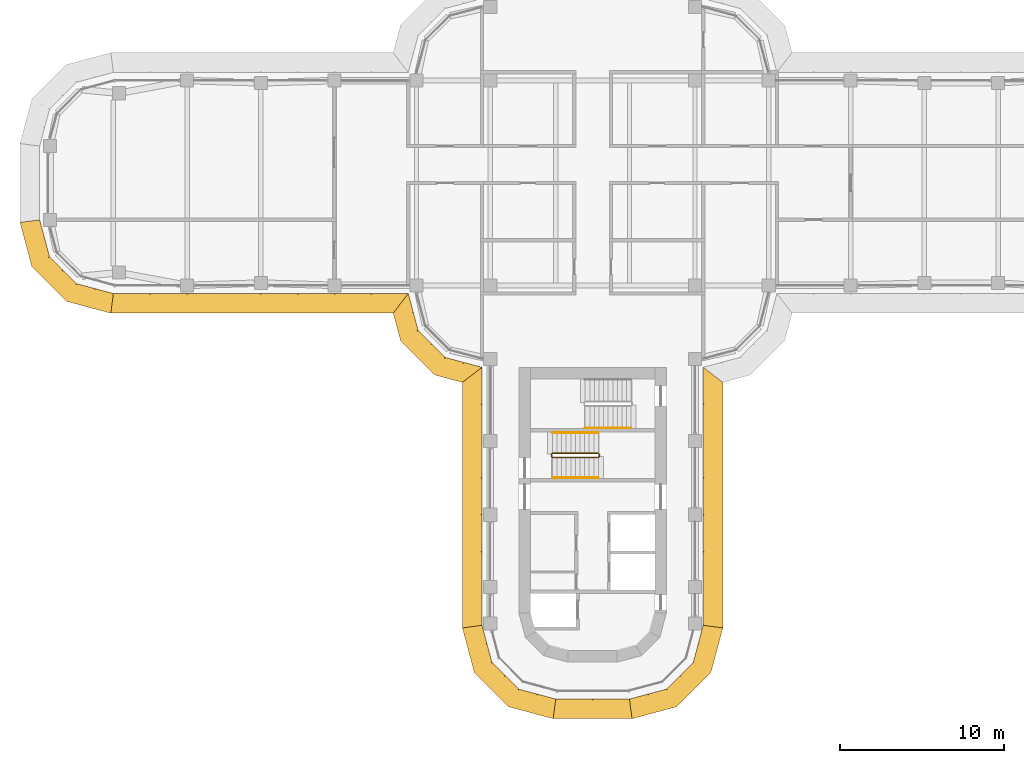
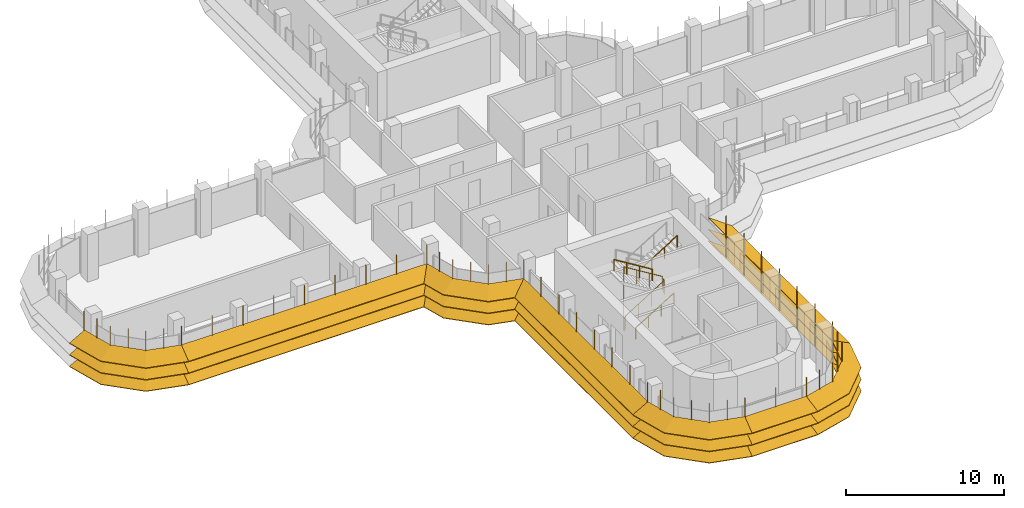
# One storey, part 16 of 19: 8 shading devices, 4 railings.
"""IFC4 building model written with IfcOpenShell, lengths in metres."""

from ifc_helpers import new_model, si_unit, direction, frame, origin, origin_2d, place, context, subcontext, project, spatial, polyline, circle, outline, extrude, faceted_brep, source, transform, mapped, material, type_object, element, save


model = new_model("IFC4")

# Units and contexts
model_context = context("Model", 3, precision=1e-05, world=origin(), true_north=direction((0.0, 1.0)))
body_context = subcontext(model_context, "Body", "Model", "MODEL_VIEW")
ifc_project = project(units=[si_unit("LENGTHUNIT", "METRE"), si_unit("AREAUNIT", "SQUARE_METRE"), si_unit("VOLUMEUNIT", "CUBIC_METRE"), si_unit("PLANEANGLEUNIT", "RADIAN"), si_unit("MASSUNIT", "GRAM", prefix="KILO")], contexts=[model_context])

# Site, building, storey
site_placement = place(None, origin())
site = spatial("IfcSite", under=ifc_project, at=site_placement, CompositionType="ELEMENT")
building_placement = place(site_placement, origin())
building = spatial("IfcBuilding", under=site, at=building_placement, Name="Zarbagh Exchange Tower", CompositionType="ELEMENT")
storey_placement = place(building_placement, frame((0.0, 0.0, 182.800048828125)))
storey = spatial("IfcBuildingStorey", under=building, at=storey_placement, Name="L44", CompositionType="ELEMENT", Elevation=182.800048828125)

# Railings
ifc_material_1 = material(Name="Stainless steel", Category="steel")
railing_type_1 = type_object("IfcRailingType", Name="Stair guard 1100 mm", PredefinedType="GUARDRAIL", material=ifc_material_1)
railing_1_placement = place(storey_placement, frame((0.35009765625, -16.5, 2.07275390625)))
element("IfcRailing", 1, at=railing_1_placement, inside=storey, type_object=railing_type_1, Name="ST3 stair guard 1", PredefinedType="GUARDRAIL", context=body_context, shape_type="SweptSolid", body=[
    extrude(circle(Radius=0.02392578125, at=origin_2d()), frame((0.0, 0.0, 1.076171875), z_axis=(-0.851089632645, 0.0, 0.525020415988), x_axis=(0.0, -1.0, 0.0)), (0.0, 0.0, 1.0), 3.2900390625),
    extrude(circle(Radius=0.02392578125, at=origin_2d()), frame((-2.800048828125, 0.0, 2.80322265625), z_axis=(-0.013168290981, -0.013168290981, -0.999826581076), x_axis=(0.707106781187, -0.707106781187, 0.0)), (0.0, 0.0, 1.0), 3.80078125),
    extrude(circle(Radius=0.02392578125, at=origin_2d()), frame((-2.85009765625, -0.050048828125, -0.99658203125), z_axis=(0.0, -1.0, 0.0), x_axis=(1.0, 0.0, 0.0)), (0.0, 0.0, 1.0), 0.14990234375),
    extrude(circle(Radius=0.02392578125, at=origin_2d()), frame((-2.85009765625, -0.199951171875, -0.99658203125), z_axis=(0.268277960024, -0.268277960024, 0.925231793839), x_axis=(0.707106781187, 0.707106781187, 0.0)), (0.0, 0.0, 1.0), 0.1865234375),
    extrude(circle(Radius=0.02392578125, at=origin_2d()), frame((-2.800048828125, -0.25, -0.82421875), z_axis=(0.851089632645, 0.0, 0.525020415988), x_axis=(0.0, 1.0, 0.0)), (0.0, 0.0, 1.0), 3.2900390625),
    extrude(circle(Radius=0.02392578125, at=origin_2d()), frame((0.0, -0.25, 0.9033203125), z_axis=(0.705375805398, 0.708833529934, 0.0), x_axis=(-0.708833529934, 0.705375805398, 0.0)), (0.0, 0.0, 1.0), 0.070556640625),
    extrude(circle(Radius=0.02392578125, at=origin_2d()), frame((0.0498046875, -0.199951171875, 0.9033203125), z_axis=(0.0, 1.0, 0.0), x_axis=(-1.0, 0.0, 0.0)), (0.0, 0.0, 1.0), 0.14990234375),
    extrude(circle(Radius=0.02099609375, at=origin_2d()), origin(), (0.0, 0.0, 1.0), 1.052001953125),
    extrude(circle(Radius=0.02099609375, at=origin_2d()), frame((-0.933349609375, 0.0, 0.57568359375)), (0.0, 0.0, 1.0), 1.052001953125),
    extrude(circle(Radius=0.02099609375, at=origin_2d()), frame((-1.86669921875, 0.0, 1.151611328125)), (0.0, 0.0, 1.0), 1.052001953125),
    extrude(circle(Radius=0.02099609375, at=origin_2d()), frame((-2.800048828125, 0.0, 1.727294921875)), (0.0, 0.0, 1.0), 1.052001953125),
    extrude(circle(Radius=0.02099609375, at=origin_2d()), frame((-2.8125, -0.012451171875, 0.77734375)), (0.0, 0.0, 1.0), 1.052001953125),
    extrude(circle(Radius=0.02099609375, at=origin_2d()), frame((-2.8251953125, -0.02490234375, -0.1728515625)), (0.0, 0.0, 1.0), 1.052001953125),
    extrude(circle(Radius=0.02099609375, at=origin_2d()), frame((-2.837646484375, -0.03759765625, -1.122802734375)), (0.0, 0.0, 1.0), 1.052001953125),
    extrude(circle(Radius=0.02099609375, at=origin_2d()), frame((-2.85009765625, -0.050048828125, -2.07275390625)), (0.0, 0.0, 1.0), 1.052001953125),
    extrude(circle(Radius=0.02099609375, at=origin_2d()), frame((-2.85009765625, -0.199951171875, -2.07275390625)), (0.0, 0.0, 1.0), 1.052001953125),
    extrude(circle(Radius=0.02099609375, at=origin_2d()), frame((-2.800048828125, -0.25, -1.900146484375)), (0.0, 0.0, 1.0), 1.052001953125),
    extrude(circle(Radius=0.02099609375, at=origin_2d()), frame((-1.86669921875, -0.25, -1.324462890625)), (0.0, 0.0, 1.0), 1.052001953125),
    extrude(circle(Radius=0.02099609375, at=origin_2d()), frame((-0.933349609375, -0.25, -0.74853515625)), (0.0, 0.0, 1.0), 1.052001953125),
    extrude(circle(Radius=0.02099609375, at=origin_2d()), frame((0.0, -0.25, -0.1728515625)), (0.0, 0.0, 1.0), 1.052001953125),
    extrude(circle(Radius=0.02099609375, at=origin_2d()), frame((0.0498046875, -0.199951171875, -0.1728515625)), (0.0, 0.0, 1.0), 1.052001953125),
    extrude(circle(Radius=0.02099609375, at=origin_2d()), frame((0.0498046875, -0.050048828125, -0.1728515625)), (0.0, 0.0, 1.0), 1.052001953125),
])
railing_type_2 = type_object("IfcRailingType", Name="Stair handrail 900 mm", PredefinedType="HANDRAIL", material=ifc_material_1)
railing_2_placement = place(storey_placement, frame((-2.449951171875, -18.0, 0.172607421875)))
element("IfcRailing", 2, at=railing_2_placement, inside=storey, type_object=railing_type_2, Name="ST3 stair handrail 1", PredefinedType="HANDRAIL", context=body_context, shape_type="SweptSolid", body=[
    extrude(circle(Radius=0.02392578125, at=origin_2d()), frame((0.0, 0.0, 0.8759765625), z_axis=(0.851089632645, 0.0, 0.525020415988), x_axis=(0.0, 1.0, 0.0)), (0.0, 0.0, 1.0), 3.2900390625),
    extrude(circle(Radius=0.02099609375, at=origin_2d()), origin(), (0.0, 0.0, 1.0), 0.851806640625),
    extrude(circle(Radius=0.02099609375, at=origin_2d()), frame((0.933349609375, 0.0, 0.57568359375)), (0.0, 0.0, 1.0), 0.851806640625),
    extrude(circle(Radius=0.02099609375, at=origin_2d()), frame((1.86669921875, 0.0, 1.151611328125)), (0.0, 0.0, 1.0), 0.851806640625),
    extrude(circle(Radius=0.02099609375, at=origin_2d()), frame((2.800048828125, 0.0, 1.727294921875)), (0.0, 0.0, 1.0), 0.851806640625),
])
railing_3_placement = place(storey_placement, frame((0.35009765625, -15.25, 2.07275390625)))
element("IfcRailing", 3, at=railing_3_placement, inside=storey, type_object=railing_type_2, Name="ST3 stair handrail 2", PredefinedType="HANDRAIL", context=body_context, shape_type="SweptSolid", body=[
    extrude(circle(Radius=0.02392578125, at=origin_2d()), frame((0.0, 0.0, 0.8759765625), z_axis=(-0.851089632645, 0.0, 0.525020415988), x_axis=(0.0, -1.0, 0.0)), (0.0, 0.0, 1.0), 3.2900390625),
    extrude(circle(Radius=0.02099609375, at=origin_2d()), origin(), (0.0, 0.0, 1.0), 0.851806640625),
    extrude(circle(Radius=0.02099609375, at=origin_2d()), frame((-0.933349609375, 0.0, 0.57568359375)), (0.0, 0.0, 1.0), 0.851806640625),
    extrude(circle(Radius=0.02099609375, at=origin_2d()), frame((-1.86669921875, 0.0, 1.151611328125)), (0.0, 0.0, 1.0), 0.851806640625),
    extrude(circle(Radius=0.02099609375, at=origin_2d()), frame((-2.800048828125, 0.0, 1.727294921875)), (0.0, 0.0, 1.0), 0.851806640625),
])
railing_4_placement = place(storey_placement, frame((-0.449951171875, -14.949951171875, 2.07275390625)))
element("IfcRailing", 4, at=railing_4_placement, inside=storey, type_object=railing_type_2, Name="ST4 stair handrail 2", PredefinedType="HANDRAIL", context=body_context, shape_type="SweptSolid", body=[
    extrude(circle(Radius=0.02392578125, at=origin_2d()), frame((0.0, 0.0, 0.8759765625), z_axis=(0.851089632645, 0.0, 0.525020415988), x_axis=(0.0, 1.0, 0.0)), (0.0, 0.0, 1.0), 3.2900390625),
    extrude(circle(Radius=0.02099609375, at=origin_2d()), origin(), (0.0, 0.0, 1.0), 0.851806640625),
    extrude(circle(Radius=0.02099609375, at=origin_2d()), frame((0.933349609375, 0.0, 0.57568359375)), (0.0, 0.0, 1.0), 0.851806640625),
    extrude(circle(Radius=0.02099609375, at=origin_2d()), frame((1.86669921875, 0.0, 1.151611328125)), (0.0, 0.0, 1.0), 0.851806640625),
    extrude(circle(Radius=0.02099609375, at=origin_2d()), frame((2.800048828125, 0.0, 1.727294921875)), (0.0, 0.0, 1.0), 0.851806640625),
])

# Shading devices
ifc_material_2 = material(Name="Anodised aluminium blades and brackets", Category="aluminium")
shading_device_type = type_object("IfcShadingDeviceType", Name="SUNSHADE louvre band, 22.5 degree blades", PredefinedType="JALOUSIE", material=ifc_material_2)
shared_shape_1 = source(origin(), body_context, "Body", "Brep", [
    faceted_brep([(0.0, 0.0, 0.0), (0.0, 0.0, -0.043212890625), (-0.157958984375, -1.199951171875, -0.540283203125), (-0.157958984375, -1.199951171875, -0.4970703125), (2.65087890625, -1.199951171875, -0.4970703125), (2.65087890625, -1.199951171875, -0.540283203125), (2.329345703125, 0.0, -0.043212890625), (2.329345703125, 0.0, 0.0)], [[[0, 1, 2, 3]], [[4, 5, 6, 7]], [[0, 7, 6, 1]], [[1, 6, 5, 2]], [[2, 5, 4, 3]], [[3, 4, 7, 0]]]),
])
shared_shape_2 = source(origin(), body_context, "Body", "Brep", [
    faceted_brep([(0.0, 0.0, 0.0), (0.0, 0.0, -0.043212890625), (-0.321533203125, -1.199951171875, -0.540283203125), (-0.321533203125, -1.199951171875, -0.4970703125), (2.65087890625, -1.199951171875, -0.4970703125), (2.65087890625, -1.199951171875, -0.540283203125), (2.329345703125, 0.0, -0.043212890625), (2.329345703125, 0.0, 0.0)], [[[0, 1, 2, 3]], [[4, 5, 6, 7]], [[0, 7, 6, 1]], [[1, 6, 5, 2]], [[2, 5, 4, 3]], [[3, 4, 7, 0]]]),
])
shared_shape_3 = source(origin(), body_context, "Body", "Brep", [
    faceted_brep([(0.0, 0.0, 0.0), (0.0, 0.0, -0.043212890625), (-0.321533203125, -1.199951171875, -0.540283203125), (-0.321533203125, -1.199951171875, -0.4970703125), (2.4873046875, -1.199951171875, -0.4970703125), (2.4873046875, -1.199951171875, -0.540283203125), (2.329345703125, 0.0, -0.043212890625), (2.329345703125, 0.0, 0.0)], [[[0, 1, 2, 3]], [[4, 5, 6, 7]], [[0, 7, 6, 1]], [[1, 6, 5, 2]], [[2, 5, 4, 3]], [[3, 4, 7, 0]]]),
])
shared_shape_4 = source(origin(), body_context, "Body", "SweptSolid", [
    extrude(outline(polyline([(0.0, -0.012451171875), (0.06005859375, -0.012451171875), (0.06005859375, 0.012451171875), (0.0, 0.012451171875), (0.0, -0.012451171875)])), origin(), (0.0, 0.0, 1.0), 3.353271484375),
])
placement = place(storey_placement, origin())
element("IfcShadingDevice", 5, at=placement, inside=storey, type_object=shading_device_type, Name="SS35 sunshade band", PredefinedType="JALOUSIE", context=body_context, shape_type="MappedRepresentation", body=[
    mapped(shared_shape_1, transform((2.25, -31.5, 2.300048828125), x_axis=(0.965924289636, 0.258824779902, 0.0), y_axis=(-0.258824779902, 0.965924289636, 0.0), z_axis=(0.0, 0.0, 1.0))),
    mapped(shared_shape_1, transform((2.25, -31.5, 1.39990234375), x_axis=(0.965924289636, 0.258824779902, 0.0), y_axis=(-0.258824779902, 0.965924289636, 0.0), z_axis=(0.0, 0.0, 1.0))),
    mapped(shared_shape_1, transform((2.25, -31.5, 0.5), x_axis=(0.965924289636, 0.258824779902, 0.0), y_axis=(-0.258824779902, 0.965924289636, 0.0), z_axis=(0.0, 0.0, 1.0))),
    mapped(shared_shape_2, transform((4.5, -30.897216796875, 2.300048828125), x_axis=(0.707106781187, 0.707106781187, 0.0), y_axis=(-0.707106781187, 0.707106781187, 0.0), z_axis=(0.0, 0.0, 1.0))),
    mapped(shared_shape_2, transform((4.5, -30.897216796875, 1.39990234375), x_axis=(0.707106781187, 0.707106781187, 0.0), y_axis=(-0.707106781187, 0.707106781187, 0.0), z_axis=(0.0, 0.0, 1.0))),
    mapped(shared_shape_2, transform((4.5, -30.897216796875, 0.5), x_axis=(0.707106781187, 0.707106781187, 0.0), y_axis=(-0.707106781187, 0.707106781187, 0.0), z_axis=(0.0, 0.0, 1.0))),
    mapped(shared_shape_3, transform((6.147216796875, -29.25, 2.300048828125), x_axis=(0.258824779902, 0.965924289636, 0.0), y_axis=(-0.965924289636, 0.258824779902, 0.0), z_axis=(0.0, 0.0, 1.0))),
    mapped(shared_shape_3, transform((6.147216796875, -29.25, 1.39990234375), x_axis=(0.258824779902, 0.965924289636, 0.0), y_axis=(-0.965924289636, 0.258824779902, 0.0), z_axis=(0.0, 0.0, 1.0))),
    mapped(shared_shape_3, transform((6.147216796875, -29.25, 0.5), x_axis=(0.258824779902, 0.965924289636, 0.0), y_axis=(-0.965924289636, 0.258824779902, 0.0), z_axis=(0.0, 0.0, 1.0))),
    mapped(shared_shape_4, transform((2.25, -31.5, 0.4267578125), x_axis=(0.130529263012, -0.991444457092, 0.0), y_axis=(0.991444457092, 0.130529263012, 0.0), z_axis=(0.0, 0.0, 1.0))),
    mapped(shared_shape_4, transform((3.375, -31.198486328125, 0.4267578125), x_axis=(0.258825058029, -0.96592421511, 0.0), y_axis=(0.96592421511, 0.258825058029, 0.0), z_axis=(0.0, 0.0, 1.0))),
    mapped(shared_shape_4, transform((4.5, -30.897216796875, 0.4267578125), x_axis=(0.50000275701, -0.866023812018, 0.0), y_axis=(0.866023812018, 0.50000275701, 0.0), z_axis=(0.0, 0.0, 1.0))),
    mapped(shared_shape_4, transform((5.323486328125, -30.073486328125, 0.4267578125), x_axis=(0.707106781187, -0.707106781187, 0.0), y_axis=(0.707106781187, 0.707106781187, 0.0), z_axis=(0.0, 0.0, 1.0))),
    mapped(shared_shape_4, transform((6.147216796875, -29.25, 0.4267578125), x_axis=(0.866023812018, -0.50000275701, 0.0), y_axis=(0.50000275701, 0.866023812018, 0.0), z_axis=(0.0, 0.0, 1.0))),
    mapped(shared_shape_4, transform((6.448486328125, -28.125, 0.4267578125), x_axis=(0.96592421511, -0.258825058029, 0.0), y_axis=(0.258825058029, 0.96592421511, 0.0), z_axis=(0.0, 0.0, 1.0))),
])
element("IfcShadingDevice", 6, at=placement, inside=storey, type_object=shading_device_type, Name="SS19 sunshade band", PredefinedType="JALOUSIE", context=body_context, shape_type="MappedRepresentation", body=[
    mapped(shared_shape_1, transform((-33.75, -2.25, 2.300048828125), x_axis=(0.258824779902, -0.965924289636, 0.0), y_axis=(0.965924289636, 0.258824779902, 0.0), z_axis=(0.0, 0.0, 1.0))),
    mapped(shared_shape_1, transform((-33.75, -2.25, 1.39990234375), x_axis=(0.258824779902, -0.965924289636, 0.0), y_axis=(0.965924289636, 0.258824779902, 0.0), z_axis=(0.0, 0.0, 1.0))),
    mapped(shared_shape_1, transform((-33.75, -2.25, 0.5), x_axis=(0.258824779902, -0.965924289636, 0.0), y_axis=(0.965924289636, 0.258824779902, 0.0), z_axis=(0.0, 0.0, 1.0))),
    mapped(shared_shape_2, transform((-33.147216796875, -4.5, 2.300048828125), x_axis=(0.707106781187, -0.707106781187, 0.0), y_axis=(0.707106781187, 0.707106781187, 0.0), z_axis=(0.0, 0.0, 1.0))),
    mapped(shared_shape_2, transform((-33.147216796875, -4.5, 1.39990234375), x_axis=(0.707106781187, -0.707106781187, 0.0), y_axis=(0.707106781187, 0.707106781187, 0.0), z_axis=(0.0, 0.0, 1.0))),
    mapped(shared_shape_2, transform((-33.147216796875, -4.5, 0.5), x_axis=(0.707106781187, -0.707106781187, 0.0), y_axis=(0.707106781187, 0.707106781187, 0.0), z_axis=(0.0, 0.0, 1.0))),
    mapped(shared_shape_3, transform((-31.5, -6.147216796875, 2.300048828125), x_axis=(0.965924289636, -0.258824779902, 0.0), y_axis=(0.258824779902, 0.965924289636, 0.0), z_axis=(0.0, 0.0, 1.0))),
    mapped(shared_shape_3, transform((-31.5, -6.147216796875, 1.39990234375), x_axis=(0.965924289636, -0.258824779902, 0.0), y_axis=(0.258824779902, 0.965924289636, 0.0), z_axis=(0.0, 0.0, 1.0))),
    mapped(shared_shape_3, transform((-31.5, -6.147216796875, 0.5), x_axis=(0.965924289636, -0.258824779902, 0.0), y_axis=(0.258824779902, 0.965924289636, 0.0), z_axis=(0.0, 0.0, 1.0))),
    mapped(shared_shape_4, transform((-33.75, -2.25, 0.4267578125), x_axis=(-0.991444457092, -0.130529263012, 0.0), y_axis=(0.130529263012, -0.991444457092, 0.0), z_axis=(0.0, 0.0, 1.0))),
    mapped(shared_shape_4, transform((-33.448486328125, -3.375, 0.4267578125), x_axis=(-0.96592421511, -0.258825058029, 0.0), y_axis=(0.258825058029, -0.96592421511, 0.0), z_axis=(0.0, 0.0, 1.0))),
    mapped(shared_shape_4, transform((-33.147216796875, -4.5, 0.4267578125), x_axis=(-0.866023812018, -0.50000275701, 0.0), y_axis=(0.50000275701, -0.866023812018, 0.0), z_axis=(0.0, 0.0, 1.0))),
    mapped(shared_shape_4, transform((-32.323486328125, -5.323486328125, 0.4267578125), x_axis=(-0.707106781187, -0.707106781187, 0.0), y_axis=(0.707106781187, -0.707106781187, 0.0), z_axis=(0.0, 0.0, 1.0))),
    mapped(shared_shape_4, transform((-31.5, -6.147216796875, 0.4267578125), x_axis=(-0.50000275701, -0.866023812018, 0.0), y_axis=(0.866023812018, -0.50000275701, 0.0), z_axis=(0.0, 0.0, 1.0))),
    mapped(shared_shape_4, transform((-30.375, -6.448486328125, 0.4267578125), x_axis=(-0.258825058029, -0.96592421511, 0.0), y_axis=(0.96592421511, -0.258825058029, 0.0), z_axis=(0.0, 0.0, 1.0))),
])
element("IfcShadingDevice", 7, at=placement, inside=storey, type_object=shading_device_type, Name="SS38 sunshade band", PredefinedType="JALOUSIE", context=body_context, shape_type="MappedRepresentation", body=[
    mapped(shared_shape_1, transform((-6.75, -27.0, 2.300048828125), x_axis=(0.258824779902, -0.965924289636, 0.0), y_axis=(0.965924289636, 0.258824779902, 0.0), z_axis=(0.0, 0.0, 1.0))),
    mapped(shared_shape_1, transform((-6.75, -27.0, 1.39990234375), x_axis=(0.258824779902, -0.965924289636, 0.0), y_axis=(0.965924289636, 0.258824779902, 0.0), z_axis=(0.0, 0.0, 1.0))),
    mapped(shared_shape_1, transform((-6.75, -27.0, 0.5), x_axis=(0.258824779902, -0.965924289636, 0.0), y_axis=(0.965924289636, 0.258824779902, 0.0), z_axis=(0.0, 0.0, 1.0))),
    mapped(shared_shape_2, transform((-6.147216796875, -29.25, 2.300048828125), x_axis=(0.707106781187, -0.707106781187, 0.0), y_axis=(0.707106781187, 0.707106781187, 0.0), z_axis=(0.0, 0.0, 1.0))),
    mapped(shared_shape_2, transform((-6.147216796875, -29.25, 1.39990234375), x_axis=(0.707106781187, -0.707106781187, 0.0), y_axis=(0.707106781187, 0.707106781187, 0.0), z_axis=(0.0, 0.0, 1.0))),
    mapped(shared_shape_2, transform((-6.147216796875, -29.25, 0.5), x_axis=(0.707106781187, -0.707106781187, 0.0), y_axis=(0.707106781187, 0.707106781187, 0.0), z_axis=(0.0, 0.0, 1.0))),
    mapped(shared_shape_3, transform((-4.5, -30.897216796875, 2.300048828125), x_axis=(0.965924289636, -0.258824779902, 0.0), y_axis=(0.258824779902, 0.965924289636, 0.0), z_axis=(0.0, 0.0, 1.0))),
    mapped(shared_shape_3, transform((-4.5, -30.897216796875, 1.39990234375), x_axis=(0.965924289636, -0.258824779902, 0.0), y_axis=(0.258824779902, 0.965924289636, 0.0), z_axis=(0.0, 0.0, 1.0))),
    mapped(shared_shape_3, transform((-4.5, -30.897216796875, 0.5), x_axis=(0.965924289636, -0.258824779902, 0.0), y_axis=(0.258824779902, 0.965924289636, 0.0), z_axis=(0.0, 0.0, 1.0))),
    mapped(shared_shape_4, transform((-6.75, -27.0, 0.4267578125), x_axis=(-0.991444457092, -0.130529263012, 0.0), y_axis=(0.130529263012, -0.991444457092, 0.0), z_axis=(0.0, 0.0, 1.0))),
    mapped(shared_shape_4, transform((-6.448486328125, -28.125, 0.4267578125), x_axis=(-0.96592421511, -0.258825058029, 0.0), y_axis=(0.258825058029, -0.96592421511, 0.0), z_axis=(0.0, 0.0, 1.0))),
    mapped(shared_shape_4, transform((-6.147216796875, -29.25, 0.4267578125), x_axis=(-0.866023812018, -0.50000275701, 0.0), y_axis=(0.50000275701, -0.866023812018, 0.0), z_axis=(0.0, 0.0, 1.0))),
    mapped(shared_shape_4, transform((-5.323486328125, -30.073486328125, 0.4267578125), x_axis=(-0.707106781187, -0.707106781187, 0.0), y_axis=(0.707106781187, -0.707106781187, 0.0), z_axis=(0.0, 0.0, 1.0))),
    mapped(shared_shape_4, transform((-4.5, -30.897216796875, 0.4267578125), x_axis=(-0.50000275701, -0.866023812018, 0.0), y_axis=(0.866023812018, -0.50000275701, 0.0), z_axis=(0.0, 0.0, 1.0))),
    mapped(shared_shape_4, transform((-3.375, -31.198486328125, 0.4267578125), x_axis=(-0.258825058029, -0.96592421511, 0.0), y_axis=(0.96592421511, -0.258825058029, 0.0), z_axis=(0.0, 0.0, 1.0))),
])
shared_shape_5 = source(origin(), body_context, "Body", "Brep", [
    faceted_brep([(0.0, 0.0, 0.0), (0.0, 0.0, -0.043212890625), (0.9208984375, -1.199951171875, -0.540283203125), (0.9208984375, -1.199951171875, -0.4970703125), (2.65087890625, -1.199951171875, -0.4970703125), (2.65087890625, -1.199951171875, -0.540283203125), (2.329345703125, 0.0, -0.043212890625), (2.329345703125, 0.0, 0.0)], [[[0, 1, 2, 3]], [[4, 5, 6, 7]], [[0, 7, 6, 1]], [[1, 6, 5, 2]], [[2, 5, 4, 3]], [[3, 4, 7, 0]]]),
])
shared_shape_6 = source(origin(), body_context, "Body", "Brep", [
    faceted_brep([(0.0, 0.0, 0.0), (0.0, 0.0, -0.043212890625), (-0.321533203125, -1.199951171875, -0.540283203125), (-0.321533203125, -1.199951171875, -0.4970703125), (1.40869140625, -1.199951171875, -0.4970703125), (1.40869140625, -1.199951171875, -0.540283203125), (2.329345703125, 0.0, -0.043212890625), (2.329345703125, 0.0, 0.0)], [[[0, 1, 2, 3]], [[4, 5, 6, 7]], [[0, 7, 6, 1]], [[1, 6, 5, 2]], [[2, 5, 4, 3]], [[3, 4, 7, 0]]]),
])
element("IfcShadingDevice", 8, at=placement, inside=storey, type_object=shading_device_type, Name="SS21 sunshade band", PredefinedType="JALOUSIE", context=body_context, shape_type="MappedRepresentation", body=[
    mapped(shared_shape_5, transform((-11.25, -6.75, 2.300048828125), x_axis=(0.258824779902, -0.965924289636, 0.0), y_axis=(0.965924289636, 0.258824779902, 0.0), z_axis=(0.0, 0.0, 1.0))),
    mapped(shared_shape_5, transform((-11.25, -6.75, 1.39990234375), x_axis=(0.258824779902, -0.965924289636, 0.0), y_axis=(0.965924289636, 0.258824779902, 0.0), z_axis=(0.0, 0.0, 1.0))),
    mapped(shared_shape_5, transform((-11.25, -6.75, 0.5), x_axis=(0.258824779902, -0.965924289636, 0.0), y_axis=(0.965924289636, 0.258824779902, 0.0), z_axis=(0.0, 0.0, 1.0))),
    mapped(shared_shape_2, transform((-10.647216796875, -9.0, 2.300048828125), x_axis=(0.707106781187, -0.707106781187, 0.0), y_axis=(0.707106781187, 0.707106781187, 0.0), z_axis=(0.0, 0.0, 1.0))),
    mapped(shared_shape_2, transform((-10.647216796875, -9.0, 1.39990234375), x_axis=(0.707106781187, -0.707106781187, 0.0), y_axis=(0.707106781187, 0.707106781187, 0.0), z_axis=(0.0, 0.0, 1.0))),
    mapped(shared_shape_2, transform((-10.647216796875, -9.0, 0.5), x_axis=(0.707106781187, -0.707106781187, 0.0), y_axis=(0.707106781187, 0.707106781187, 0.0), z_axis=(0.0, 0.0, 1.0))),
    mapped(shared_shape_6, transform((-9.0, -10.647216796875, 2.300048828125), x_axis=(0.965924289636, -0.258824779902, 0.0), y_axis=(0.258824779902, 0.965924289636, 0.0), z_axis=(0.0, 0.0, 1.0))),
    mapped(shared_shape_6, transform((-9.0, -10.647216796875, 1.39990234375), x_axis=(0.965924289636, -0.258824779902, 0.0), y_axis=(0.258824779902, 0.965924289636, 0.0), z_axis=(0.0, 0.0, 1.0))),
    mapped(shared_shape_6, transform((-9.0, -10.647216796875, 0.5), x_axis=(0.965924289636, -0.258824779902, 0.0), y_axis=(0.258824779902, 0.965924289636, 0.0), z_axis=(0.0, 0.0, 1.0))),
    mapped(shared_shape_4, transform((-11.25, -6.75, 0.4267578125), x_axis=(-0.608758892, -0.793355287, 0.0), y_axis=(0.793355287, -0.608758892, 0.0), z_axis=(0.0, 0.0, 1.0))),
    mapped(shared_shape_4, transform((-10.948486328125, -7.875, 0.4267578125), x_axis=(-0.96592421511, -0.258825058029, 0.0), y_axis=(0.258825058029, -0.96592421511, 0.0), z_axis=(0.0, 0.0, 1.0))),
    mapped(shared_shape_4, transform((-10.647216796875, -9.0, 0.4267578125), x_axis=(-0.866023812018, -0.50000275701, 0.0), y_axis=(0.50000275701, -0.866023812018, 0.0), z_axis=(0.0, 0.0, 1.0))),
    mapped(shared_shape_4, transform((-9.823486328125, -9.823486328125, 0.4267578125), x_axis=(-0.707106781187, -0.707106781187, 0.0), y_axis=(0.707106781187, -0.707106781187, 0.0), z_axis=(0.0, 0.0, 1.0))),
    mapped(shared_shape_4, transform((-9.0, -10.647216796875, 0.4267578125), x_axis=(-0.50000275701, -0.866023812018, 0.0), y_axis=(0.866023812018, -0.50000275701, 0.0), z_axis=(0.0, 0.0, 1.0))),
    mapped(shared_shape_4, transform((-7.875, -10.948486328125, 0.4267578125), x_axis=(-0.258825058029, -0.96592421511, 0.0), y_axis=(0.96592421511, -0.258825058029, 0.0), z_axis=(0.0, 0.0, 1.0))),
])
shared_shape_7 = source(origin(), body_context, "Body", "Brep", [
    faceted_brep([(0.0, 0.0, 0.0), (0.0, 0.0, -0.043212890625), (-0.157958984375, -1.199951171875, -0.540283203125), (-0.157958984375, -1.199951171875, -0.4970703125), (14.8291015625, -1.199951171875, -0.4970703125), (14.8291015625, -1.199951171875, -0.540283203125), (15.75, 0.0, -0.043212890625), (15.75, 0.0, 0.0)], [[[0, 1, 2, 3]], [[4, 5, 6, 7]], [[0, 7, 6, 1]], [[1, 6, 5, 2]], [[2, 5, 4, 3]], [[3, 4, 7, 0]]]),
])
element("IfcShadingDevice", 9, at=placement, inside=storey, type_object=shading_device_type, Name="SS36 sunshade band", PredefinedType="JALOUSIE", context=body_context, shape_type="MappedRepresentation", body=[
    mapped(shared_shape_7, transform((6.75, -27.0, 2.300048828125), x_axis=(0.0, 1.0, 0.0), y_axis=(-1.0, 0.0, 0.0), z_axis=(0.0, 0.0, 1.0))),
    mapped(shared_shape_7, transform((6.75, -27.0, 1.39990234375), x_axis=(0.0, 1.0, 0.0), y_axis=(-1.0, 0.0, 0.0), z_axis=(0.0, 0.0, 1.0))),
    mapped(shared_shape_7, transform((6.75, -27.0, 0.5), x_axis=(0.0, 1.0, 0.0), y_axis=(-1.0, 0.0, 0.0), z_axis=(0.0, 0.0, 1.0))),
    mapped(shared_shape_4, transform((6.75, -27.0, 0.4267578125), x_axis=(0.991444457092, -0.130529263012, 0.0), y_axis=(0.130529263012, 0.991444457092, 0.0), z_axis=(0.0, 0.0, 1.0))),
    mapped(shared_shape_4, transform((6.75, -24.75, 0.4267578125), x_axis=(1.0, 0.0, 0.0), y_axis=(0.0, 1.0, 0.0), z_axis=(0.0, 0.0, 1.0))),
    mapped(shared_shape_4, transform((6.75, -22.5, 0.4267578125), x_axis=(1.0, 0.0, 0.0), y_axis=(0.0, 1.0, 0.0), z_axis=(0.0, 0.0, 1.0))),
    mapped(shared_shape_4, transform((6.75, -20.25, 0.4267578125), x_axis=(1.0, 0.0, 0.0), y_axis=(0.0, 1.0, 0.0), z_axis=(0.0, 0.0, 1.0))),
    mapped(shared_shape_4, transform((6.75, -18.0, 0.4267578125), x_axis=(1.0, 0.0, 0.0), y_axis=(0.0, 1.0, 0.0), z_axis=(0.0, 0.0, 1.0))),
    mapped(shared_shape_4, transform((6.75, -15.75, 0.4267578125), x_axis=(1.0, 0.0, 0.0), y_axis=(0.0, 1.0, 0.0), z_axis=(0.0, 0.0, 1.0))),
    mapped(shared_shape_4, transform((6.75, -13.5, 0.4267578125), x_axis=(1.0, 0.0, 0.0), y_axis=(0.0, 1.0, 0.0), z_axis=(0.0, 0.0, 1.0))),
])
shared_shape_8 = source(origin(), body_context, "Body", "Brep", [
    faceted_brep([(0.0, 0.0, 0.0), (0.0, 0.0, -0.043212890625), (-0.157958984375, -1.199951171875, -0.540283203125), (-0.157958984375, -1.199951171875, -0.4970703125), (17.0791015625, -1.199951171875, -0.4970703125), (17.0791015625, -1.199951171875, -0.540283203125), (18.0, 0.0, -0.043212890625), (18.0, 0.0, 0.0)], [[[0, 1, 2, 3]], [[4, 5, 6, 7]], [[0, 7, 6, 1]], [[1, 6, 5, 2]], [[2, 5, 4, 3]], [[3, 4, 7, 0]]]),
])
element("IfcShadingDevice", 10, at=placement, inside=storey, type_object=shading_device_type, Name="SS20 sunshade band", PredefinedType="JALOUSIE", context=body_context, shape_type="MappedRepresentation", body=[
    mapped(shared_shape_8, transform((-29.25, -6.75, 2.300048828125), x_axis=(1.0, 0.0, 0.0), y_axis=(0.0, 1.0, 0.0), z_axis=(0.0, 0.0, 1.0))),
    mapped(shared_shape_8, transform((-29.25, -6.75, 1.39990234375), x_axis=(1.0, 0.0, 0.0), y_axis=(0.0, 1.0, 0.0), z_axis=(0.0, 0.0, 1.0))),
    mapped(shared_shape_8, transform((-29.25, -6.75, 0.5), x_axis=(1.0, 0.0, 0.0), y_axis=(0.0, 1.0, 0.0), z_axis=(0.0, 0.0, 1.0))),
    mapped(shared_shape_4, transform((-29.25, -6.75, 0.4267578125), x_axis=(-0.130529263012, -0.991444457092, 0.0), y_axis=(0.991444457092, -0.130529263012, 0.0), z_axis=(0.0, 0.0, 1.0))),
    mapped(shared_shape_4, transform((-27.0, -6.75, 0.4267578125), x_axis=(0.0, -1.0, 0.0), y_axis=(1.0, 0.0, 0.0), z_axis=(0.0, 0.0, 1.0))),
    mapped(shared_shape_4, transform((-24.75, -6.75, 0.4267578125), x_axis=(0.0, -1.0, 0.0), y_axis=(1.0, 0.0, 0.0), z_axis=(0.0, 0.0, 1.0))),
    mapped(shared_shape_4, transform((-22.5, -6.75, 0.4267578125), x_axis=(0.0, -1.0, 0.0), y_axis=(1.0, 0.0, 0.0), z_axis=(0.0, 0.0, 1.0))),
    mapped(shared_shape_4, transform((-20.25, -6.75, 0.4267578125), x_axis=(0.0, -1.0, 0.0), y_axis=(1.0, 0.0, 0.0), z_axis=(0.0, 0.0, 1.0))),
    mapped(shared_shape_4, transform((-18.0, -6.75, 0.4267578125), x_axis=(0.0, -1.0, 0.0), y_axis=(1.0, 0.0, 0.0), z_axis=(0.0, 0.0, 1.0))),
    mapped(shared_shape_4, transform((-15.75, -6.75, 0.4267578125), x_axis=(0.0, -1.0, 0.0), y_axis=(1.0, 0.0, 0.0), z_axis=(0.0, 0.0, 1.0))),
    mapped(shared_shape_4, transform((-13.5, -6.75, 0.4267578125), x_axis=(0.0, -1.0, 0.0), y_axis=(1.0, 0.0, 0.0), z_axis=(0.0, 0.0, 1.0))),
])
shared_shape_9 = source(origin(), body_context, "Body", "Brep", [
    faceted_brep([(0.0, 0.0, 0.0), (0.0, 0.0, -0.043212890625), (0.9208984375, -1.199951171875, -0.540283203125), (0.9208984375, -1.199951171875, -0.4970703125), (15.907958984375, -1.199951171875, -0.4970703125), (15.907958984375, -1.199951171875, -0.540283203125), (15.75, 0.0, -0.043212890625), (15.75, 0.0, 0.0)], [[[0, 1, 2, 3]], [[4, 5, 6, 7]], [[0, 7, 6, 1]], [[1, 6, 5, 2]], [[2, 5, 4, 3]], [[3, 4, 7, 0]]]),
])
element("IfcShadingDevice", 11, at=placement, inside=storey, type_object=shading_device_type, Name="SS37 sunshade band", PredefinedType="JALOUSIE", context=body_context, shape_type="MappedRepresentation", body=[
    mapped(shared_shape_9, transform((-6.75, -11.25, 2.300048828125), x_axis=(0.0, -1.0, 0.0), y_axis=(1.0, 0.0, 0.0), z_axis=(0.0, 0.0, 1.0))),
    mapped(shared_shape_9, transform((-6.75, -11.25, 1.39990234375), x_axis=(0.0, -1.0, 0.0), y_axis=(1.0, 0.0, 0.0), z_axis=(0.0, 0.0, 1.0))),
    mapped(shared_shape_9, transform((-6.75, -11.25, 0.5), x_axis=(0.0, -1.0, 0.0), y_axis=(1.0, 0.0, 0.0), z_axis=(0.0, 0.0, 1.0))),
    mapped(shared_shape_4, transform((-6.75, -11.25, 0.4267578125), x_axis=(-0.793355287, -0.608758892, 0.0), y_axis=(0.608758892, -0.793355287, 0.0), z_axis=(0.0, 0.0, 1.0))),
    mapped(shared_shape_4, transform((-6.75, -13.5, 0.4267578125), x_axis=(-1.0, 0.0, 0.0), y_axis=(0.0, -1.0, 0.0), z_axis=(0.0, 0.0, 1.0))),
    mapped(shared_shape_4, transform((-6.75, -15.75, 0.4267578125), x_axis=(-1.0, 0.0, 0.0), y_axis=(0.0, -1.0, 0.0), z_axis=(0.0, 0.0, 1.0))),
    mapped(shared_shape_4, transform((-6.75, -18.0, 0.4267578125), x_axis=(-1.0, 0.0, 0.0), y_axis=(0.0, -1.0, 0.0), z_axis=(0.0, 0.0, 1.0))),
    mapped(shared_shape_4, transform((-6.75, -20.25, 0.4267578125), x_axis=(-1.0, 0.0, 0.0), y_axis=(0.0, -1.0, 0.0), z_axis=(0.0, 0.0, 1.0))),
    mapped(shared_shape_4, transform((-6.75, -22.5, 0.4267578125), x_axis=(-1.0, 0.0, 0.0), y_axis=(0.0, -1.0, 0.0), z_axis=(0.0, 0.0, 1.0))),
    mapped(shared_shape_4, transform((-6.75, -24.75, 0.4267578125), x_axis=(-1.0, 0.0, 0.0), y_axis=(0.0, -1.0, 0.0), z_axis=(0.0, 0.0, 1.0))),
])
shared_shape_10 = source(origin(), body_context, "Body", "Brep", [
    faceted_brep([(0.0, 0.0, 0.0), (0.0, 0.0, -0.043212890625), (-0.157958984375, -1.199951171875, -0.540283203125), (-0.157958984375, -1.199951171875, -0.4970703125), (4.657958984375, -1.199951171875, -0.4970703125), (4.657958984375, -1.199951171875, -0.540283203125), (4.5, 0.0, -0.043212890625), (4.5, 0.0, 0.0)], [[[0, 1, 2, 3]], [[4, 5, 6, 7]], [[0, 7, 6, 1]], [[1, 6, 5, 2]], [[2, 5, 4, 3]], [[3, 4, 7, 0]]]),
])
element("IfcShadingDevice", 12, at=placement, inside=storey, type_object=shading_device_type, Name="SS39 sunshade band", PredefinedType="JALOUSIE", context=body_context, shape_type="MappedRepresentation", body=[
    mapped(shared_shape_10, transform((-2.25, -31.5, 2.300048828125), x_axis=(1.0, 0.0, 0.0), y_axis=(0.0, 1.0, 0.0), z_axis=(0.0, 0.0, 1.0))),
    mapped(shared_shape_10, transform((-2.25, -31.5, 1.39990234375), x_axis=(1.0, 0.0, 0.0), y_axis=(0.0, 1.0, 0.0), z_axis=(0.0, 0.0, 1.0))),
    mapped(shared_shape_10, transform((-2.25, -31.5, 0.5), x_axis=(1.0, 0.0, 0.0), y_axis=(0.0, 1.0, 0.0), z_axis=(0.0, 0.0, 1.0))),
    mapped(shared_shape_4, transform((-2.25, -31.5, 0.4267578125), x_axis=(-0.130529263012, -0.991444457092, 0.0), y_axis=(0.991444457092, -0.130529263012, 0.0), z_axis=(0.0, 0.0, 1.0))),
    mapped(shared_shape_4, transform((0.0, -31.5, 0.4267578125), x_axis=(0.0, -1.0, 0.0), y_axis=(1.0, 0.0, 0.0), z_axis=(0.0, 0.0, 1.0))),
])

save(model, "model.ifc")
